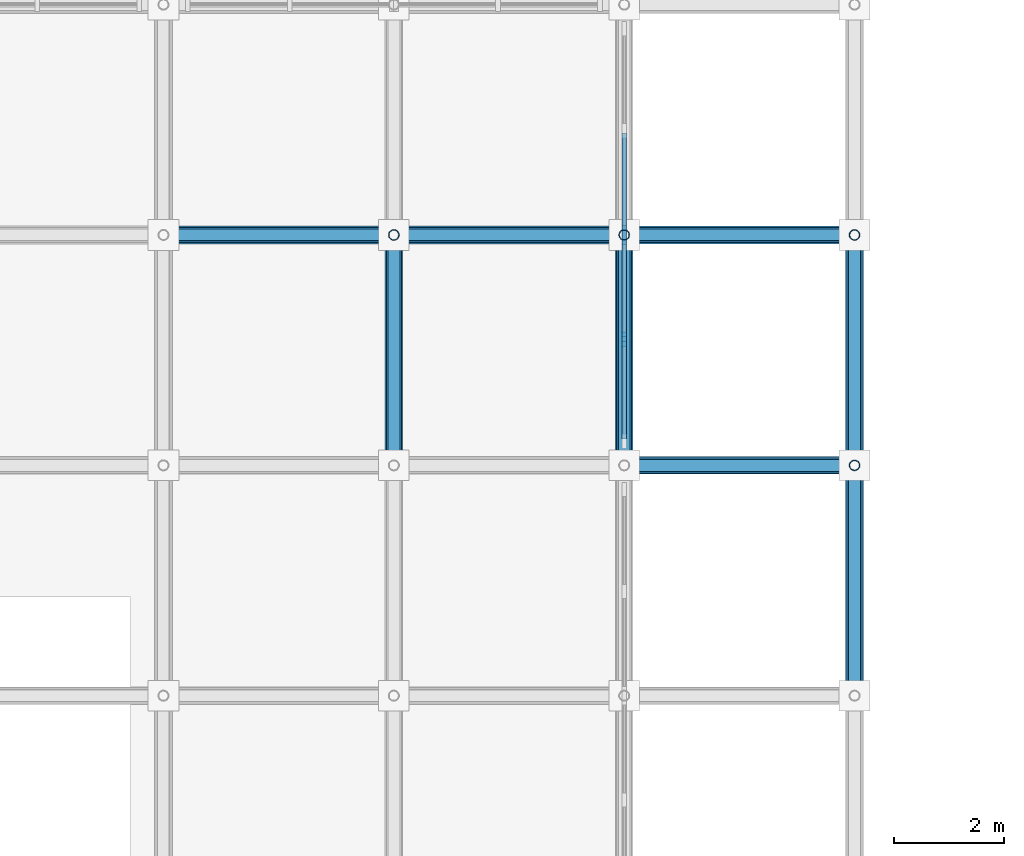
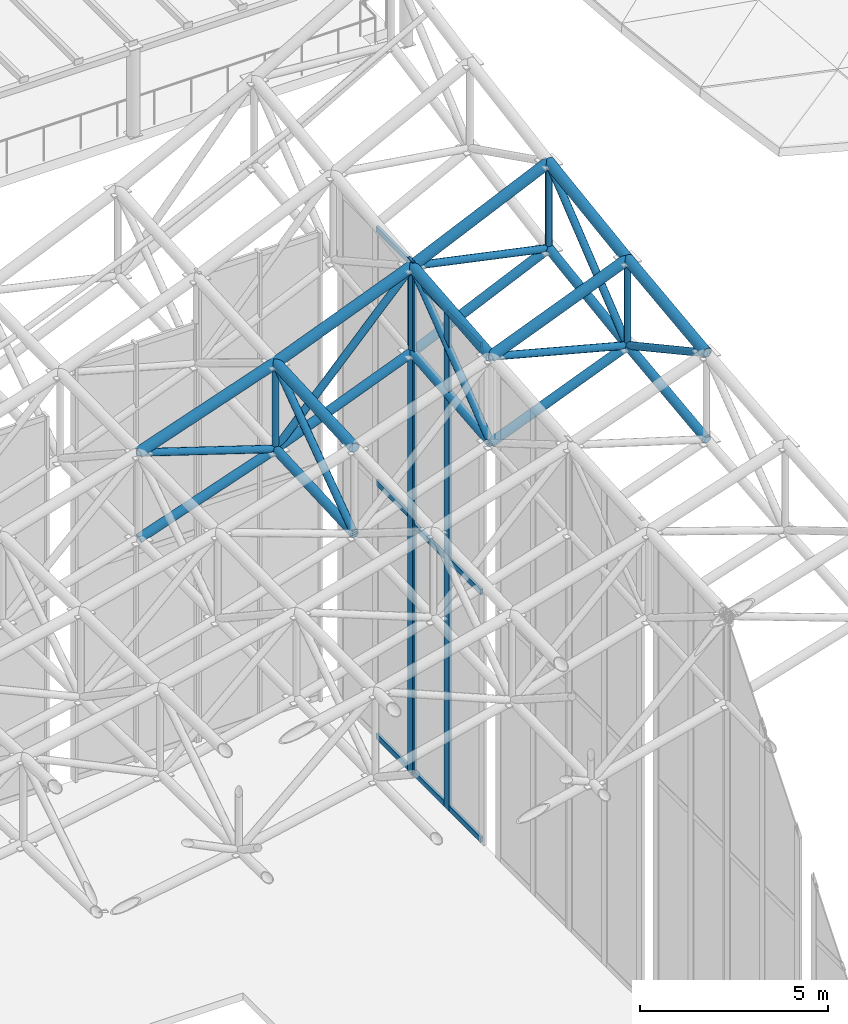
# One storey, part 45 of 93: 40 members, 2 elements without a shape of their own.
"""IFC4 building model written with IfcOpenShell, lengths in metres."""

from ifc_helpers import new_model, si_unit, direction, frame, origin, origin_2d, place, context, subcontext, project, spatial, rectangle, hollow_circle, extrude, material, material_profile, profile_set, type_object, element, aggregate, save


model = new_model("IFC4")

# Units and contexts
model_context = context("Model", 3, precision=1e-05, world=origin(), true_north=direction((0.0, 1.0)))
body_context = subcontext(model_context, "Body", "Model", "MODEL_VIEW")
ifc_project = project(units=[si_unit("LENGTHUNIT", "METRE"), si_unit("AREAUNIT", "SQUARE_METRE"), si_unit("VOLUMEUNIT", "CUBIC_METRE"), si_unit("PLANEANGLEUNIT", "RADIAN"), si_unit("MASSUNIT", "GRAM", prefix="KILO")], contexts=[model_context])

# Site, building, storey
site_placement = place(None, origin())
site = spatial("IfcSite", under=ifc_project, at=site_placement, CompositionType="ELEMENT")
building_placement = place(site_placement, origin())
building = spatial("IfcBuilding", under=site, at=building_placement, Name="Cumbredor Promenade Congress Hotel", CompositionType="ELEMENT")
storey_placement = place(building_placement, frame((0.0, 0.0, 21.840087890625)))
storey = spatial("IfcBuildingStorey", under=building, at=storey_placement, Name="L06", CompositionType="ELEMENT", Elevation=21.840087890625)

# Curtain wall, members
ifc_material_1 = material(Name="Thermally broken anodized aluminium and low-E glass", Category="aluminium")
curtain_wall_type = type_object("IfcCurtainWallType", Name="Stepped Pavilion Clerestory Curtain Wall CW-06", PredefinedType="NOTDEFINED", material=ifc_material_1)
curtain_wall_1_placement = place(storey_placement, origin())
curtain_wall_1 = element("IfcCurtainWall", 1, at=curtain_wall_1_placement, inside=storey, type_object=curtain_wall_type, Name="Plenary Congress Hall E Glazed Clerestory 13", PredefinedType="NOTDEFINED")
ifc_material_2 = material(Name="Thermally broken anodized aluminium", Category="aluminium")
ifc_material_profile_1 = material_profile(ifc_material_2, rectangle(XDim=0.0849609375, YDim=0.260009765625, at=origin_2d()), Name="ALU MULLION CLERESTORY 85x260")
ifc_profile_set_1 = profile_set([ifc_material_profile_1], Name="Thermally broken anodized aluminium")
member_type_1 = type_object("IfcMemberType", Name="Curtain Wall Mullion ML-04", PredefinedType="MULLION", material=ifc_profile_set_1)
member_1_placement = place(storey_placement, frame((67.199951171875, 61.10009765625, -0.01806640625), z_axis=(0.0, 0.0, 1.0), x_axis=(1.0, 0.0, 0.0)))
member_1 = element("IfcMember", 2, at=member_1_placement, type_object=member_type_1, Name="Plenary Congress Hall E Glazed Clerestory 13 Mullion 2", PredefinedType="MULLION", context=body_context, shape_type="SweptSolid", body=[
    extrude(rectangle(XDim=0.0849609375, YDim=0.260009765625, at=origin_2d()), origin(), (0.0, 0.0, 1.0), 16.279296875),
])
member_2_placement = place(storey_placement, frame((67.199951171875, 62.9599609375, -0.01806640625), z_axis=(0.0, 0.0, 1.0), x_axis=(1.0, 0.0, 0.0)))
member_2 = element("IfcMember", 3, at=member_2_placement, type_object=member_type_1, Name="Plenary Congress Hall E Glazed Clerestory 13 Mullion 3", PredefinedType="MULLION", context=body_context, shape_type="SweptSolid", body=[
    extrude(rectangle(XDim=0.0849609375, YDim=0.260009765625, at=origin_2d()), origin(), (0.0, 0.0, 1.0), 16.279296875),
])

# Curtain wall, member
curtain_wall_2_placement = place(storey_placement, origin())
curtain_wall_2 = element("IfcCurtainWall", 4, at=curtain_wall_2_placement, inside=storey, type_object=curtain_wall_type, Name="Plenary Congress Hall E Glazed Clerestory 14", PredefinedType="NOTDEFINED")
member_3_placement = place(storey_placement, frame((67.199951171875, 63.0400390625, -0.01806640625), z_axis=(0.0, 0.0, 1.0), x_axis=(1.0, 0.0, 0.0)))
member_3 = element("IfcMember", 5, at=member_3_placement, type_object=member_type_1, Name="Plenary Congress Hall E Glazed Clerestory 14 Mullion 1", PredefinedType="MULLION", context=body_context, shape_type="SweptSolid", body=[
    extrude(rectangle(XDim=0.0849609375, YDim=0.260009765625, at=origin_2d()), origin(), (0.0, 0.0, 1.0), 16.67431640625),
])

# Member
ifc_material_profile_2 = material_profile(ifc_material_2, rectangle(XDim=0.080078125, YDim=0.179931640625, at=origin_2d()), Name="ALU TRANSOM 80x180")
ifc_profile_set_2 = profile_set([ifc_material_profile_2], Name="Thermally broken anodized aluminium")
member_type_2 = type_object("IfcMemberType", Name="Curtain Wall Transom TR-03", PredefinedType="USERDEFINED", material=ifc_profile_set_2)
member_4_placement = place(storey_placement, frame((67.199951171875, 59.282470703125, 0.079833984375), z_axis=(0.0, 1.0, 0.0), x_axis=(-1.0, 0.0, 0.0)))
member_4 = element("IfcMember", 6, at=member_4_placement, type_object=member_type_2, Name="Plenary Congress Hall E Glazed Clerestory 13 Transom 1.1", ObjectType="TRANSOM", PredefinedType="USERDEFINED", context=body_context, shape_type="SweptSolid", body=[
    extrude(rectangle(XDim=0.080078125, YDim=0.179931640625, at=origin_2d()), origin(), (0.0, 0.0, 1.0), 1.775146484375),
])

member_5_placement = place(storey_placement, frame((67.199951171875, 59.282470703125, 8.119873046875), z_axis=(0.0, 1.0, 0.0), x_axis=(-1.0, 0.0, 0.0)))
member_5 = element("IfcMember", 7, at=member_5_placement, type_object=member_type_2, Name="Plenary Congress Hall E Glazed Clerestory 13 Transom 1.2", ObjectType="TRANSOM", PredefinedType="USERDEFINED", context=body_context, shape_type="SweptSolid", body=[
    extrude(rectangle(XDim=0.080078125, YDim=0.179931640625, at=origin_2d()), origin(), (0.0, 0.0, 1.0), 1.775146484375),
])

member_6_placement = place(storey_placement, frame((67.199951171875, 59.282470703125, 16.159912109375), z_axis=(0.0, 1.0, 0.0), x_axis=(-1.0, 0.0, 0.0)))
member_6 = element("IfcMember", 8, at=member_6_placement, type_object=member_type_2, Name="Plenary Congress Hall E Glazed Clerestory 13 Transom 1.3", ObjectType="TRANSOM", PredefinedType="USERDEFINED", context=body_context, shape_type="SweptSolid", body=[
    extrude(rectangle(XDim=0.080078125, YDim=0.179931640625, at=origin_2d()), origin(), (0.0, 0.0, 1.0), 1.775146484375),
])

member_7_placement = place(storey_placement, frame((67.199951171875, 61.142578125, 0.079833984375), z_axis=(0.0, 1.0, 0.0), x_axis=(-1.0, 0.0, 0.0)))
member_7 = element("IfcMember", 9, at=member_7_placement, type_object=member_type_2, Name="Plenary Congress Hall E Glazed Clerestory 13 Transom 2.1", ObjectType="TRANSOM", PredefinedType="USERDEFINED", context=body_context, shape_type="SweptSolid", body=[
    extrude(rectangle(XDim=0.080078125, YDim=0.179931640625, at=origin_2d()), origin(), (0.0, 0.0, 1.0), 1.77490234375),
])

member_8_placement = place(storey_placement, frame((67.199951171875, 61.142578125, 8.119873046875), z_axis=(0.0, 1.0, 0.0), x_axis=(-1.0, 0.0, 0.0)))
member_8 = element("IfcMember", 10, at=member_8_placement, type_object=member_type_2, Name="Plenary Congress Hall E Glazed Clerestory 13 Transom 2.2", ObjectType="TRANSOM", PredefinedType="USERDEFINED", context=body_context, shape_type="SweptSolid", body=[
    extrude(rectangle(XDim=0.080078125, YDim=0.179931640625, at=origin_2d()), origin(), (0.0, 0.0, 1.0), 1.77490234375),
])

member_9_placement = place(storey_placement, frame((67.199951171875, 61.142578125, 16.159912109375), z_axis=(0.0, 1.0, 0.0), x_axis=(-1.0, 0.0, 0.0)))
member_9 = element("IfcMember", 11, at=member_9_placement, type_object=member_type_2, Name="Plenary Congress Hall E Glazed Clerestory 13 Transom 2.3", ObjectType="TRANSOM", PredefinedType="USERDEFINED", context=body_context, shape_type="SweptSolid", body=[
    extrude(rectangle(XDim=0.080078125, YDim=0.179931640625, at=origin_2d()), origin(), (0.0, 0.0, 1.0), 1.77490234375),
])

aggregate(curtain_wall_1, [member_1, member_2, member_4, member_5, member_6, member_7, member_8, member_9])

member_10_placement = place(storey_placement, frame((67.199951171875, 63.08251953125, 0.079833984375), z_axis=(0.0, 1.0, 0.0), x_axis=(-1.0, 0.0, 0.0)))
member_10 = element("IfcMember", 12, at=member_10_placement, type_object=member_type_2, Name="Plenary Congress Hall E Glazed Clerestory 14 Transom 1.1", ObjectType="TRANSOM", PredefinedType="USERDEFINED", context=body_context, shape_type="SweptSolid", body=[
    extrude(rectangle(XDim=0.080078125, YDim=0.179931640625, at=origin_2d()), origin(), (0.0, 0.0, 1.0), 1.77490234375),
])

member_11_placement = place(storey_placement, frame((67.199951171875, 63.08251953125, 8.31982421875), z_axis=(0.0, 1.0, 0.0), x_axis=(-1.0, 0.0, 0.0)))
member_11 = element("IfcMember", 13, at=member_11_placement, type_object=member_type_2, Name="Plenary Congress Hall E Glazed Clerestory 14 Transom 1.2", ObjectType="TRANSOM", PredefinedType="USERDEFINED", context=body_context, shape_type="SweptSolid", body=[
    extrude(rectangle(XDim=0.080078125, YDim=0.179931640625, at=origin_2d()), origin(), (0.0, 0.0, 1.0), 1.77490234375),
])

member_12_placement = place(storey_placement, frame((67.199951171875, 63.08251953125, 16.559814453125), z_axis=(0.0, 1.0, 0.0), x_axis=(-1.0, 0.0, 0.0)))
member_12 = element("IfcMember", 14, at=member_12_placement, type_object=member_type_2, Name="Plenary Congress Hall E Glazed Clerestory 14 Transom 1.3", ObjectType="TRANSOM", PredefinedType="USERDEFINED", context=body_context, shape_type="SweptSolid", body=[
    extrude(rectangle(XDim=0.080078125, YDim=0.179931640625, at=origin_2d()), origin(), (0.0, 0.0, 1.0), 1.77490234375),
])

aggregate(curtain_wall_2, [member_3, member_10, member_11, member_12])

# Members
ifc_material_3 = material(Name="Steel ASTM A500 Grade C", Category="steel")
ifc_material_profile_3 = material_profile(ifc_material_3, hollow_circle(Radius=0.136474609375, WallThickness=0.01611328125, at=origin_2d()), Name="CHS 273.0x16")
ifc_profile_set_3 = profile_set([ifc_material_profile_3], Name="Steel ASTM A500 Grade C")
member_type_3 = type_object("IfcMemberType", Name="Plenary Roof Space Frame Bottom Chord", PredefinedType="CHORD", material=ifc_profile_set_3)
member_13_placement = place(storey_placement, frame((67.199951171875, 58.800048828125, 13.273193359375), z_axis=(0.927417042186, 0.0, 0.374028915811), x_axis=(0.0, 1.0, 0.0)))
element("IfcMember", 15, at=member_13_placement, inside=storey, type_object=member_type_3, Name="Plenary Congress Hall X Bottom Chord 18.15", PredefinedType="CHORD", context=body_context, shape_type="SweptSolid", body=[
    extrude(hollow_circle(Radius=0.136474609375, WallThickness=0.01611328125, at=origin_2d()), origin(), (0.0, 0.0, 1.0), 4.528564453125),
])
member_14_placement = place(storey_placement, frame((58.800048828125, 63.0, 10.5478515625), z_axis=(0.945323333671, 0.0, 0.326134626829), x_axis=(0.0, 1.0, 0.0)))
element("IfcMember", 16, at=member_14_placement, inside=storey, type_object=member_type_3, Name="Plenary Congress Hall X Bottom Chord 16.16", PredefinedType="CHORD", context=body_context, shape_type="SweptSolid", body=[
    extrude(hollow_circle(Radius=0.136474609375, WallThickness=0.01611328125, at=origin_2d()), origin(), (0.0, 0.0, 1.0), 4.44287109375),
])
member_15_placement = place(storey_placement, frame((63.0, 63.0, 11.996826171875), z_axis=(0.929112256064, 0.0, 0.369797803713), x_axis=(0.0, 1.0, 0.0)))
element("IfcMember", 17, at=member_15_placement, inside=storey, type_object=member_type_3, Name="Plenary Congress Hall X Bottom Chord 17.16", PredefinedType="CHORD", context=body_context, shape_type="SweptSolid", body=[
    extrude(hollow_circle(Radius=0.136474609375, WallThickness=0.01611328125, at=origin_2d()), origin(), (0.0, 0.0, 1.0), 4.5205078125),
])
member_16_placement = place(storey_placement, frame((67.199951171875, 63.0, 13.66845703125), z_axis=(0.910496936225, 0.0, 0.413515814842), x_axis=(0.0, 1.0, 0.0)))
element("IfcMember", 18, at=member_16_placement, inside=storey, type_object=member_type_3, Name="Plenary Congress Hall X Bottom Chord 18.16", PredefinedType="CHORD", context=body_context, shape_type="SweptSolid", body=[
    extrude(hollow_circle(Radius=0.136474609375, WallThickness=0.01611328125, at=origin_2d()), origin(), (0.0, 0.0, 1.0), 4.61279296875),
])
member_17_placement = place(storey_placement, frame((63.0, 58.800048828125, 11.78759765625), z_axis=(0.0, 0.998761443455, 0.049755191364), x_axis=(-1.0, 0.0, 0.0)))
element("IfcMember", 19, at=member_17_placement, inside=storey, type_object=member_type_3, Name="Plenary Congress Hall Y Bottom Chord 17.15", PredefinedType="CHORD", context=body_context, shape_type="SweptSolid", body=[
    extrude(hollow_circle(Radius=0.136474609375, WallThickness=0.01611328125, at=origin_2d()), origin(), (0.0, 0.0, 1.0), 4.205078125),
])
member_18_placement = place(storey_placement, frame((67.199951171875, 58.800048828125, 13.273193359375), z_axis=(0.0, 0.995600715305, 0.093697468934), x_axis=(-1.0, 0.0, 0.0)))
element("IfcMember", 20, at=member_18_placement, inside=storey, type_object=member_type_3, Name="Plenary Congress Hall Y Bottom Chord 18.15", PredefinedType="CHORD", context=body_context, shape_type="SweptSolid", body=[
    extrude(hollow_circle(Radius=0.136474609375, WallThickness=0.01611328125, at=origin_2d()), origin(), (0.0, 0.0, 1.0), 4.218505859375),
])
member_19_placement = place(storey_placement, frame((71.39990234375, 54.60009765625, 14.45947265625), z_axis=(0.0, 0.992776544314, 0.119978052411), x_axis=(-1.0, 0.0, 0.0)))
element("IfcMember", 21, at=member_19_placement, inside=storey, type_object=member_type_3, Name="Plenary Congress Hall Y Bottom Chord 19.14", PredefinedType="CHORD", context=body_context, shape_type="SweptSolid", body=[
    extrude(hollow_circle(Radius=0.136474609375, WallThickness=0.01611328125, at=origin_2d()), origin(), (0.0, 0.0, 1.0), 4.23046875),
])
member_20_placement = place(storey_placement, frame((71.39990234375, 58.800048828125, 14.967041015625), z_axis=(0.0, 0.989653970568, 0.143474801058), x_axis=(-1.0, 0.0, 0.0)))
element("IfcMember", 22, at=member_20_placement, inside=storey, type_object=member_type_3, Name="Plenary Congress Hall Y Bottom Chord 19.15", PredefinedType="CHORD", context=body_context, shape_type="SweptSolid", body=[
    extrude(hollow_circle(Radius=0.136474609375, WallThickness=0.01611328125, at=origin_2d()), origin(), (0.0, 0.0, 1.0), 4.243896484375),
])
ifc_material_profile_4 = material_profile(ifc_material_3, hollow_circle(Radius=0.161865234375, WallThickness=0.01611328125, at=origin_2d()), Name="CHS 323.9x16")
ifc_profile_set_4 = profile_set([ifc_material_profile_4], Name="Steel ASTM A500 Grade C")
member_type_4 = type_object("IfcMemberType", Name="Plenary Roof Space Frame Top Chord", PredefinedType="CHORD", material=ifc_profile_set_4)
member_21_placement = place(storey_placement, frame((67.199951171875, 58.800048828125, 16.0732421875), z_axis=(0.927417042186, 0.0, 0.374028915811), x_axis=(0.0, 1.0, 0.0)))
element("IfcMember", 23, at=member_21_placement, inside=storey, type_object=member_type_4, Name="Plenary Congress Hall X Top Chord 18.15", PredefinedType="CHORD", context=body_context, shape_type="SweptSolid", body=[
    extrude(hollow_circle(Radius=0.161865234375, WallThickness=0.01611328125, at=origin_2d()), origin(), (0.0, 0.0, 1.0), 4.528564453125),
])
member_22_placement = place(storey_placement, frame((58.800048828125, 63.0, 13.347900390625), z_axis=(0.945323333671, 0.0, 0.326134626829), x_axis=(0.0, 1.0, 0.0)))
element("IfcMember", 24, at=member_22_placement, inside=storey, type_object=member_type_4, Name="Plenary Congress Hall X Top Chord 16.16", PredefinedType="CHORD", context=body_context, shape_type="SweptSolid", body=[
    extrude(hollow_circle(Radius=0.161865234375, WallThickness=0.01611328125, at=origin_2d()), origin(), (0.0, 0.0, 1.0), 4.44287109375),
])
member_23_placement = place(storey_placement, frame((63.0, 63.0, 14.796875), z_axis=(0.929112256064, 0.0, 0.369797803713), x_axis=(0.0, 1.0, 0.0)))
element("IfcMember", 25, at=member_23_placement, inside=storey, type_object=member_type_4, Name="Plenary Congress Hall X Top Chord 17.16", PredefinedType="CHORD", context=body_context, shape_type="SweptSolid", body=[
    extrude(hollow_circle(Radius=0.161865234375, WallThickness=0.01611328125, at=origin_2d()), origin(), (0.0, 0.0, 1.0), 4.5205078125),
])
member_24_placement = place(storey_placement, frame((67.199951171875, 63.0, 16.468505859375), z_axis=(0.910516862741, 0.0, 0.413471936972), x_axis=(0.0, 1.0, 0.0)))
element("IfcMember", 26, at=member_24_placement, inside=storey, type_object=member_type_4, Name="Plenary Congress Hall X Top Chord 18.16", PredefinedType="CHORD", context=body_context, shape_type="SweptSolid", body=[
    extrude(hollow_circle(Radius=0.161865234375, WallThickness=0.01611328125, at=origin_2d()), origin(), (0.0, 0.0, 1.0), 4.61279296875),
])
member_25_placement = place(storey_placement, frame((63.0, 58.800048828125, 14.587646484375), z_axis=(0.0, 0.998761443455, 0.049755191364), x_axis=(-1.0, 0.0, 0.0)))
element("IfcMember", 27, at=member_25_placement, inside=storey, type_object=member_type_4, Name="Plenary Congress Hall Y Top Chord 17.15", PredefinedType="CHORD", context=body_context, shape_type="SweptSolid", body=[
    extrude(hollow_circle(Radius=0.161865234375, WallThickness=0.01611328125, at=origin_2d()), origin(), (0.0, 0.0, 1.0), 4.205078125),
])
member_26_placement = place(storey_placement, frame((67.199951171875, 58.800048828125, 16.0732421875), z_axis=(0.0, 0.995600715305, 0.093697468934), x_axis=(-1.0, 0.0, 0.0)))
element("IfcMember", 28, at=member_26_placement, inside=storey, type_object=member_type_4, Name="Plenary Congress Hall Y Top Chord 18.15", PredefinedType="CHORD", context=body_context, shape_type="SweptSolid", body=[
    extrude(hollow_circle(Radius=0.161865234375, WallThickness=0.01611328125, at=origin_2d()), origin(), (0.0, 0.0, 1.0), 4.218505859375),
])
member_27_placement = place(storey_placement, frame((71.39990234375, 54.60009765625, 17.259521484375), z_axis=(0.0, 0.992776544314, 0.119978052411), x_axis=(-1.0, 0.0, 0.0)))
element("IfcMember", 29, at=member_27_placement, inside=storey, type_object=member_type_4, Name="Plenary Congress Hall Y Top Chord 19.14", PredefinedType="CHORD", context=body_context, shape_type="SweptSolid", body=[
    extrude(hollow_circle(Radius=0.161865234375, WallThickness=0.01611328125, at=origin_2d()), origin(), (0.0, 0.0, 1.0), 4.23046875),
])
member_28_placement = place(storey_placement, frame((71.39990234375, 58.800048828125, 17.76708984375), z_axis=(0.0, 0.989662137454, 0.143418456587), x_axis=(-1.0, 0.0, 0.0)))
element("IfcMember", 30, at=member_28_placement, inside=storey, type_object=member_type_4, Name="Plenary Congress Hall Y Top Chord 19.15", PredefinedType="CHORD", context=body_context, shape_type="SweptSolid", body=[
    extrude(hollow_circle(Radius=0.161865234375, WallThickness=0.01611328125, at=origin_2d()), origin(), (0.0, 0.0, 1.0), 4.243896484375),
])
ifc_material_profile_5 = material_profile(ifc_material_3, hollow_circle(Radius=0.109619140625, WallThickness=0.012451171875, at=origin_2d()), Name="CHS 219.1x12.5")
ifc_profile_set_5 = profile_set([ifc_material_profile_5], Name="Steel ASTM A500 Grade C")
member_type_5 = type_object("IfcMemberType", Name="Space Frame Web Diagonal D1", PredefinedType="BRACE", material=ifc_profile_set_5)
member_29_placement = place(storey_placement, frame((67.199951171875, 58.800048828125, 16.0732421875), z_axis=(0.967020633306, 0.0, -0.254698046243), x_axis=(0.0, 1.0, 0.0)))
element("IfcMember", 31, at=member_29_placement, inside=storey, type_object=member_type_5, Name="Plenary Congress Hall X Web Diagonal 18.15", PredefinedType="BRACE", context=body_context, shape_type="SweptSolid", body=[
    extrude(hollow_circle(Radius=0.109619140625, WallThickness=0.012451171875, at=origin_2d()), origin(), (0.0, 0.0, 1.0), 4.34326171875),
])
member_30_placement = place(storey_placement, frame((58.800048828125, 63.0, 13.347900390625), z_axis=(0.951956565311, 0.0, -0.306233077511), x_axis=(0.0, 1.0, 0.0)))
element("IfcMember", 32, at=member_30_placement, inside=storey, type_object=member_type_5, Name="Plenary Congress Hall X Web Diagonal 16.16", PredefinedType="BRACE", context=body_context, shape_type="SweptSolid", body=[
    extrude(hollow_circle(Radius=0.109619140625, WallThickness=0.012451171875, at=origin_2d()), origin(), (0.0, 0.0, 1.0), 4.411865234375),
])
member_31_placement = place(storey_placement, frame((63.0, 63.0, 11.996826171875), z_axis=(0.68461331893, 0.0, 0.728906443615), x_axis=(0.0, 1.0, 0.0)))
element("IfcMember", 33, at=member_31_placement, inside=storey, type_object=member_type_5, Name="Plenary Congress Hall X Web Diagonal 17.16", PredefinedType="BRACE", context=body_context, shape_type="SweptSolid", body=[
    extrude(hollow_circle(Radius=0.109619140625, WallThickness=0.012451171875, at=origin_2d()), origin(), (0.0, 0.0, 1.0), 6.134765625),
])
member_32_placement = place(storey_placement, frame((67.199951171875, 63.0, 16.468505859375), z_axis=(0.978154659995, 0.0, -0.207878476832), x_axis=(0.0, 1.0, 0.0)))
element("IfcMember", 34, at=member_32_placement, inside=storey, type_object=member_type_5, Name="Plenary Congress Hall X Web Diagonal 18.16", PredefinedType="BRACE", context=body_context, shape_type="SweptSolid", body=[
    extrude(hollow_circle(Radius=0.109619140625, WallThickness=0.012451171875, at=origin_2d()), origin(), (0.0, 0.0, 1.0), 4.293701171875),
])
member_33_placement = place(storey_placement, frame((63.0, 58.800048828125, 11.78759765625), z_axis=(0.0, 0.812880140246, 0.582431006724), x_axis=(-1.0, 0.0, 0.0)))
element("IfcMember", 35, at=member_33_placement, inside=storey, type_object=member_type_5, Name="Plenary Congress Hall Y Web Diagonal 17.15", PredefinedType="BRACE", context=body_context, shape_type="SweptSolid", body=[
    extrude(hollow_circle(Radius=0.109619140625, WallThickness=0.012451171875, at=origin_2d()), origin(), (0.0, 0.0, 1.0), 5.166748046875),
])
member_34_placement = place(storey_placement, frame((67.199951171875, 58.800048828125, 13.273193359375), z_axis=(0.0, 0.79585631795, 0.60548552516), x_axis=(-1.0, 0.0, 0.0)))
element("IfcMember", 36, at=member_34_placement, inside=storey, type_object=member_type_5, Name="Plenary Congress Hall Y Web Diagonal 18.15", PredefinedType="BRACE", context=body_context, shape_type="SweptSolid", body=[
    extrude(hollow_circle(Radius=0.109619140625, WallThickness=0.012451171875, at=origin_2d()), origin(), (0.0, 0.0, 1.0), 5.27734375),
])
member_35_placement = place(storey_placement, frame((71.39990234375, 54.60009765625, 17.259521484375), z_axis=(0.0, 0.87775513965, -0.479109501907), x_axis=(-1.0, 0.0, 0.0)))
element("IfcMember", 37, at=member_35_placement, inside=storey, type_object=member_type_5, Name="Plenary Congress Hall Y Web Diagonal 19.14", PredefinedType="BRACE", context=body_context, shape_type="SweptSolid", body=[
    extrude(hollow_circle(Radius=0.109619140625, WallThickness=0.012451171875, at=origin_2d()), origin(), (0.0, 0.0, 1.0), 4.784912109375),
])
member_36_placement = place(storey_placement, frame((71.39990234375, 58.800048828125, 14.967041015625), z_axis=(0.0, 0.776454893732, 0.630172831848), x_axis=(-1.0, 0.0, 0.0)))
element("IfcMember", 38, at=member_36_placement, inside=storey, type_object=member_type_5, Name="Plenary Congress Hall Y Web Diagonal 19.15", PredefinedType="BRACE", context=body_context, shape_type="SweptSolid", body=[
    extrude(hollow_circle(Radius=0.109619140625, WallThickness=0.012451171875, at=origin_2d()), origin(), (0.0, 0.0, 1.0), 5.4091796875),
])
ifc_material_profile_6 = material_profile(ifc_material_3, hollow_circle(Radius=0.096923828125, WallThickness=0.010009765625, at=origin_2d()), Name="CHS 193.7x10")
ifc_profile_set_6 = profile_set([ifc_material_profile_6], Name="Steel ASTM A500 Grade C")
member_type_6 = type_object("IfcMemberType", Name="Space Frame Web Post P1", PredefinedType="BRACE", material=ifc_profile_set_6)
for number, where, z_axis, x_axis, name in (
    (39, (63.0, 63.0, 11.996826171875), (0.0, 0.0, 1.0), (1.0, 0.0, 0.0), "Plenary Congress Hall Space Frame Web Post 17.16"),
    (40, (67.199951171875, 63.0, 13.66845703125), (0.0, 0.0, 1.0), (1.0, 0.0, 0.0), "Plenary Congress Hall Space Frame Web Post 18.16"),
    (41, (71.39990234375, 58.800048828125, 14.967041015625), (0.0, 0.0, 1.0), (1.0, 0.0, 0.0), "Plenary Congress Hall Space Frame Web Post 19.15"),
):
    element("IfcMember", number, at=place(storey_placement, frame(where, z_axis=z_axis, x_axis=x_axis)), inside=storey, type_object=member_type_6, Name=name, PredefinedType="BRACE", context=body_context, shape_type="SweptSolid", body=[
        extrude(hollow_circle(Radius=0.096923828125, WallThickness=0.010009765625, at=origin_2d()), origin(), (0.0, 0.0, 1.0), 2.800048828125),
    ])
member_37_placement = place(storey_placement, frame((71.39990234375, 63.0, 15.575927734375), z_axis=(0.0, 0.0, 1.0), x_axis=(1.0, 0.0, 0.0)))
element("IfcMember", 42, at=member_37_placement, inside=storey, type_object=member_type_6, Name="Plenary Congress Hall Space Frame Web Post 19.16", PredefinedType="BRACE", context=body_context, shape_type="SweptSolid", body=[
    extrude(hollow_circle(Radius=0.096923828125, WallThickness=0.010009765625, at=origin_2d()), origin(), (0.0, 0.0, 1.0), 2.7998046875),
])

save(model, "model.ifc")
